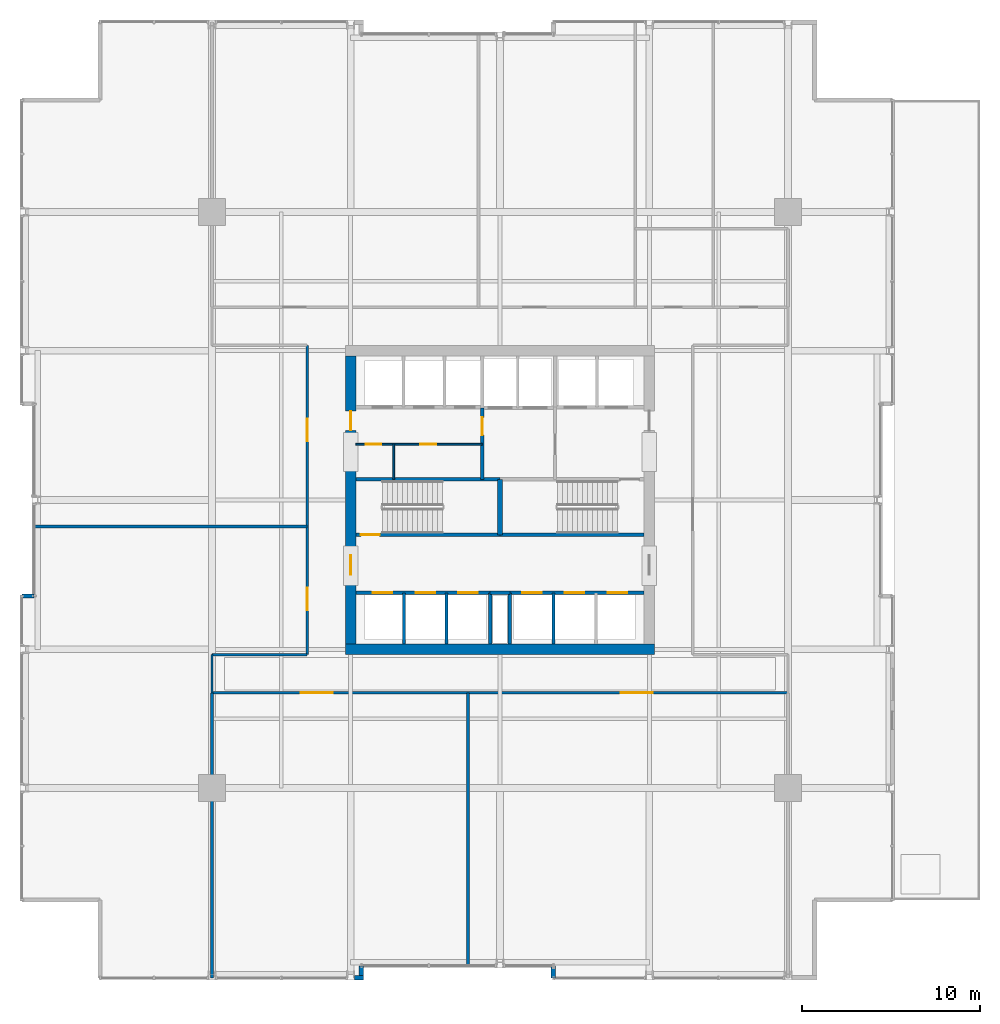
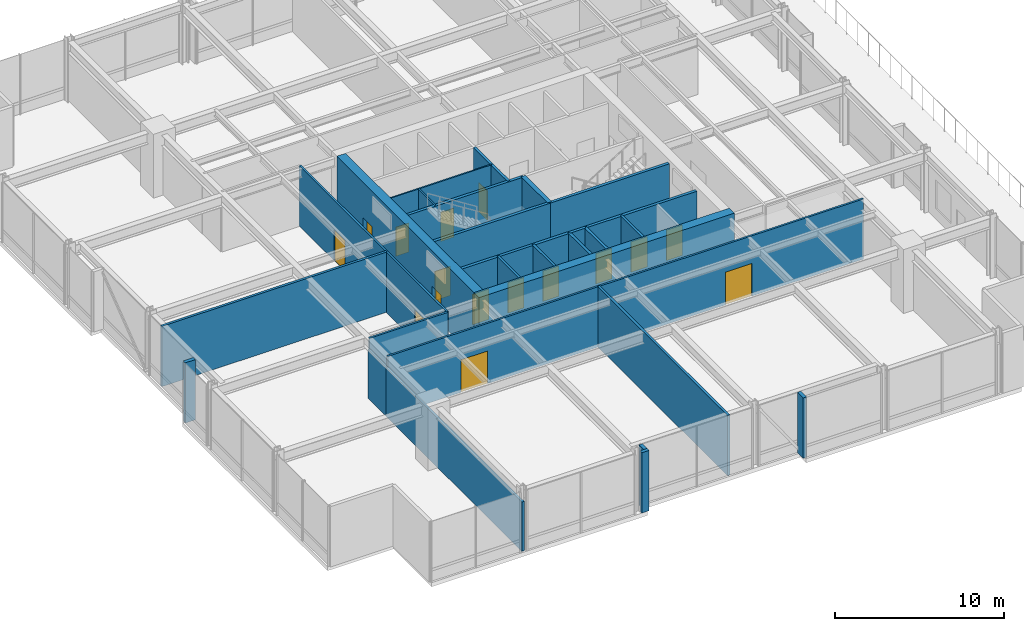
# One storey, part 28 of 33: 28 walls, 16 doors, 16 openings.
"""IFC4 building model written with IfcOpenShell, lengths in metres."""

from ifc_helpers import new_model, si_unit, direction, frame, frame_2d, origin, place, context, subcontext, project, spatial, rectangle, extrude, material, layer, layer_set, type_object, element, fill, save


model = new_model("IFC4")

# Units and contexts
model_context = context("Model", 3, precision=1e-05, world=origin(), true_north=direction((0.0, 1.0)))
body_context = subcontext(model_context, "Body", "Model", "MODEL_VIEW")
ifc_project = project(units=[si_unit("LENGTHUNIT", "METRE"), si_unit("AREAUNIT", "SQUARE_METRE"), si_unit("VOLUMEUNIT", "CUBIC_METRE"), si_unit("PLANEANGLEUNIT", "RADIAN"), si_unit("MASSUNIT", "GRAM", prefix="KILO")], contexts=[model_context])

# Site, building, storey
site_placement = place(None, origin())
site = spatial("IfcSite", under=ifc_project, at=site_placement, CompositionType="ELEMENT")
building_placement = place(site_placement, origin())
building = spatial("IfcBuilding", under=site, at=building_placement, Name="Drelvath Grand Hotel", CompositionType="ELEMENT")
storey_placement = place(building_placement, frame((0.0, 0.0, 87.199951171875)))
storey = spatial("IfcBuildingStorey", under=building, at=storey_placement, Name="L21", CompositionType="ELEMENT", Elevation=87.199951171875)

# Wall, openings, doors
ifc_material_1 = material(Name="Gypsum Partition Board")
ifc_layer_1 = layer(ifc_material_1, 0.10009765625)
ifc_layer_set_1 = layer_set([ifc_layer_1], Name="Gypsum Partition Board")
wall_type_1 = type_object("IfcWallType", Name="Core Closet Partition 100", PredefinedType="PARTITIONING", material=ifc_layer_set_1)
wall_1_placement = place(storey_placement, frame((-8.10009765625, 30.139892578125, 0.0), z_axis=(0.0, 0.0, 1.0), x_axis=(1.0, 0.0, 0.0)))
wall_1 = element("IfcWall", 1, at=wall_1_placement, inside=storey, type_object=wall_type_1, Name="L21 High-Rise Lobby Closet Wall", PredefinedType="PARTITIONING", context=body_context, shape_type="SweptSolid", body=[
    extrude(rectangle(XDim=7.10009765625, YDim=0.10009765625, at=frame_2d((3.550048828125, 0.0))), origin(), (0.0, 0.0, 1.0), 4.340087890625),
])
opening_1_placement = place(wall_1_placement, frame((0.550048828125, 0.0, 0.0)))
opening_1 = element("IfcOpeningElement", 2, at=opening_1_placement, cuts=wall_1, Name="Opening D-L21-014", PredefinedType="OPENING", context=body_context, shape_type="SweptSolid", body=[
    extrude(rectangle(XDim=0.8798828125, YDim=2.10009765625, at=frame_2d((0.43994140625, 1.050048828125))), frame((0.0, 0.06005859375, 0.0), z_axis=(0.0, -1.0, 0.0), x_axis=(1.0, 0.0, 0.0)), (0.0, 0.0, 1.0), 0.1201171875),
])
opening_2_placement = place(wall_1_placement, frame((3.60009765625, 0.0, 0.0)))
opening_2 = element("IfcOpeningElement", 3, at=opening_2_placement, cuts=wall_1, Name="Opening D-L21-015", PredefinedType="OPENING", context=body_context, shape_type="SweptSolid", body=[
    extrude(rectangle(XDim=0.919921875, YDim=2.10009765625, at=frame_2d((0.4599609375, 1.050048828125))), frame((0.0, 0.06005859375, 0.0), z_axis=(0.0, -1.0, 0.0), x_axis=(1.0, 0.0, 0.0)), (0.0, 0.0, 1.0), 0.1201171875),
])
ifc_material_2 = material(Name="Hardwood Walnut Timber", Category="wood")
door_type_1 = type_object("IfcDoorType", Name="En-Suite Bathroom Door 880x2100", OperationType="NOTDEFINED", PredefinedType="DOOR", material=ifc_material_2)
door_1_placement = place(opening_1_placement, origin())
door_1 = element("IfcDoor", 4, at=door_1_placement, inside=storey, type_object=door_type_1, Name="L21 Low-Voltage Closet Door", OperationType="SINGLE_SWING_LEFT", OverallHeight=2.10009765625, OverallWidth=0.8798828125, PredefinedType="DOOR", context=body_context, shape_type="SweptSolid", body=[
    extrude(rectangle(XDim=0.8798828125, YDim=2.10009765625, at=frame_2d((0.43994140625, 1.050048828125))), frame((0.0, 0.02490234375, 0.0), z_axis=(0.0, -1.0, 0.0), x_axis=(1.0, 0.0, 0.0)), (0.0, 0.0, 1.0), 0.050048828125),
])
fill(opening_1, door_1)
ifc_material_3 = material(Name="Painted Steel S275", Category="steel")
door_type_2 = type_object("IfcDoorType", Name="Staff Utility Door 920x2100", OperationType="NOTDEFINED", PredefinedType="DOOR", material=ifc_material_3)
door_2_placement = place(opening_2_placement, origin())
door_2 = element("IfcDoor", 5, at=door_2_placement, inside=storey, type_object=door_type_2, Name="L21 Telecom Distribution Door", OperationType="SINGLE_SWING_RIGHT", OverallHeight=2.10009765625, OverallWidth=0.919921875, PredefinedType="DOOR", context=body_context, shape_type="SweptSolid", body=[
    extrude(rectangle(XDim=0.919921875, YDim=2.10009765625, at=frame_2d((0.4599609375, 1.050048828125))), frame((0.0, 0.02490234375, 0.0), z_axis=(0.0, -1.0, 0.0), x_axis=(1.0, 0.0, 0.0)), (0.0, 0.0, 1.0), 0.050048828125),
])
fill(opening_2, door_2)

# Wall
wall_2_placement = place(storey_placement, frame((-5.97998046875, 28.159912109375, 0.0), z_axis=(0.0, 0.0, 1.0), x_axis=(0.0, 1.0, 0.0)))
element("IfcWall", 6, at=wall_2_placement, inside=storey, type_object=wall_type_1, Name="L21 Core Closet Split 2", PredefinedType="PARTITIONING", context=body_context, shape_type="SweptSolid", body=[
    extrude(rectangle(XDim=1.97998046875, YDim=0.10009765625, at=frame_2d((0.989990234375, 0.0))), origin(), (0.0, 0.0, 1.0), 4.340087890625),
])

# Wall, openings, doors
ifc_material_4 = material(Name="Concrete C40/50", Category="concrete")
ifc_layer_2 = layer(ifc_material_4, 0.199951171875)
ifc_layer_set_2 = layer_set([ifc_layer_2], Name="Concrete C40/50")
wall_type_2 = type_object("IfcWallType", Name="Core Hoistway Fire Wall 200", PredefinedType="SOLIDWALL", material=ifc_layer_set_2)
wall_3_placement = place(storey_placement, frame((-0.550048828125, 21.780029296875, 0.0), z_axis=(0.0, 0.0, 1.0), x_axis=(-1.0, 0.0, 0.0)))
wall_3 = element("IfcWall", 7, at=wall_3_placement, inside=storey, type_object=wall_type_2, Name="L21 Bank 1 Hoistway Wall", PredefinedType="SOLIDWALL", context=body_context, shape_type="SweptSolid", body=[
    extrude(rectangle(XDim=7.550048828125, YDim=0.199951171875, at=frame_2d((3.77490234375, 0.0))), origin(), (0.0, 0.0, 1.0), 4.340087890625),
])
opening_3_placement = place(wall_3_placement, frame((5.5, 0.0, 0.0)))
opening_3 = element("IfcOpeningElement", 8, at=opening_3_placement, cuts=wall_3, Name="Opening LD-PE-1", PredefinedType="OPENING", context=body_context, shape_type="SweptSolid", body=[
    extrude(rectangle(XDim=1.10009765625, YDim=2.199951171875, at=frame_2d((0.550048828125, 1.10009765625))), frame((0.0, 0.10986328125, 0.0), z_axis=(0.0, -1.0, 0.0), x_axis=(1.0, 0.0, 0.0)), (0.0, 0.0, 1.0), 0.219970703125),
])
opening_4_placement = place(wall_3_placement, frame((3.10009765625, 0.0, 0.0)))
opening_4 = element("IfcOpeningElement", 9, at=opening_4_placement, cuts=wall_3, Name="Opening LD-PE-2", PredefinedType="OPENING", context=body_context, shape_type="SweptSolid", body=[
    extrude(rectangle(XDim=1.10009765625, YDim=2.199951171875, at=frame_2d((0.550048828125, 1.10009765625))), frame((0.0, 0.10986328125, 0.0), z_axis=(0.0, -1.0, 0.0), x_axis=(1.0, 0.0, 0.0)), (0.0, 0.0, 1.0), 0.219970703125),
])
opening_5_placement = place(wall_3_placement, frame((0.699951171875, 0.0, 0.0)))
opening_5 = element("IfcOpeningElement", 10, at=opening_5_placement, cuts=wall_3, Name="Opening LD-PE-3", PredefinedType="OPENING", context=body_context, shape_type="SweptSolid", body=[
    extrude(rectangle(XDim=1.10009765625, YDim=2.199951171875, at=frame_2d((0.550048828125, 1.10009765625))), frame((0.0, 0.10986328125, 0.0), z_axis=(0.0, -1.0, 0.0), x_axis=(1.0, 0.0, 0.0)), (0.0, 0.0, 1.0), 0.219970703125),
])
ifc_material_5 = material(Name="Stainless Steel S355", Category="steel")
door_type_3 = type_object("IfcDoorType", Name="Passenger Lift Sliding Landing Door 1100x2200", OperationType="NOTDEFINED", PredefinedType="DOOR", material=ifc_material_5)
door_3_placement = place(opening_3_placement, origin())
door_3 = element("IfcDoor", 11, at=door_3_placement, inside=storey, type_object=door_type_3, Name="L21 Lift PE-1 Landing Door", OperationType="SLIDING_TO_LEFT", OverallHeight=2.199951171875, OverallWidth=1.10009765625, PredefinedType="DOOR", context=body_context, shape_type="SweptSolid", body=[
    extrude(rectangle(XDim=1.10009765625, YDim=2.199951171875, at=frame_2d((0.550048828125, 1.10009765625))), frame((0.0, 0.02490234375, 0.0), z_axis=(0.0, -1.0, 0.0), x_axis=(1.0, 0.0, 0.0)), (0.0, 0.0, 1.0), 0.050048828125),
])
fill(opening_3, door_3)
door_4_placement = place(opening_4_placement, origin())
door_4 = element("IfcDoor", 12, at=door_4_placement, inside=storey, type_object=door_type_3, Name="L21 Lift PE-2 Landing Door", OperationType="SLIDING_TO_LEFT", OverallHeight=2.199951171875, OverallWidth=1.10009765625, PredefinedType="DOOR", context=body_context, shape_type="SweptSolid", body=[
    extrude(rectangle(XDim=1.10009765625, YDim=2.199951171875, at=frame_2d((0.550048828125, 1.10009765625))), frame((0.0, 0.02490234375, 0.0), z_axis=(0.0, -1.0, 0.0), x_axis=(1.0, 0.0, 0.0)), (0.0, 0.0, 1.0), 0.050048828125),
])
fill(opening_4, door_4)
door_5_placement = place(opening_5_placement, origin())
door_5 = element("IfcDoor", 13, at=door_5_placement, inside=storey, type_object=door_type_3, Name="L21 Lift PE-3 Landing Door", OperationType="SLIDING_TO_LEFT", OverallHeight=2.199951171875, OverallWidth=1.10009765625, PredefinedType="DOOR", context=body_context, shape_type="SweptSolid", body=[
    extrude(rectangle(XDim=1.10009765625, YDim=2.199951171875, at=frame_2d((0.550048828125, 1.10009765625))), frame((0.0, 0.02490234375, 0.0), z_axis=(0.0, -1.0, 0.0), x_axis=(1.0, 0.0, 0.0)), (0.0, 0.0, 1.0), 0.050048828125),
])
fill(opening_5, door_5)

# Wall
wall_4_placement = place(storey_placement, frame((-0.550048828125, 18.89990234375, 0.0), z_axis=(0.0, 0.0, 1.0), x_axis=(0.0, 1.0, 0.0)))
element("IfcWall", 14, at=wall_4_placement, inside=storey, type_object=wall_type_2, Name="L21 Bank 1 East Wall", PredefinedType="SOLIDWALL", context=body_context, shape_type="SweptSolid", body=[
    extrude(rectangle(XDim=2.880126953125, YDim=0.199951171875, at=frame_2d((1.43994140625, 0.0))), origin(), (0.0, 0.0, 1.0), 4.340087890625),
])

# Wall, openings, doors
wall_5_placement = place(storey_placement, frame((8.10009765625, 21.780029296875, 0.0), z_axis=(0.0, 0.0, 1.0), x_axis=(-1.0, 0.0, 0.0)))
wall_5 = element("IfcWall", 15, at=wall_5_placement, inside=storey, type_object=wall_type_2, Name="L21 Bank 2 Hoistway Wall", PredefinedType="SOLIDWALL", context=body_context, shape_type="SweptSolid", body=[
    extrude(rectangle(XDim=7.550048828125, YDim=0.199951171875, at=frame_2d((3.77490234375, 0.0))), origin(), (0.0, 0.0, 1.0), 4.340087890625),
])
opening_6_placement = place(wall_5_placement, frame((5.75, 0.0, 0.0)))
opening_6 = element("IfcOpeningElement", 16, at=opening_6_placement, cuts=wall_5, Name="Opening LD-PE-4", PredefinedType="OPENING", context=body_context, shape_type="SweptSolid", body=[
    extrude(rectangle(XDim=1.10009765625, YDim=2.199951171875, at=frame_2d((0.550048828125, 1.10009765625))), frame((0.0, 0.10986328125, 0.0), z_axis=(0.0, -1.0, 0.0), x_axis=(1.0, 0.0, 0.0)), (0.0, 0.0, 1.0), 0.219970703125),
])
opening_7_placement = place(wall_5_placement, frame((3.35009765625, 0.0, 0.0)))
opening_7 = element("IfcOpeningElement", 17, at=opening_7_placement, cuts=wall_5, Name="Opening LD-PE-5", PredefinedType="OPENING", context=body_context, shape_type="SweptSolid", body=[
    extrude(rectangle(XDim=1.10009765625, YDim=2.199951171875, at=frame_2d((0.550048828125, 1.10009765625))), frame((0.0, 0.10986328125, 0.0), z_axis=(0.0, -1.0, 0.0), x_axis=(1.0, 0.0, 0.0)), (0.0, 0.0, 1.0), 0.219970703125),
])
opening_8_placement = place(wall_5_placement, frame((0.949951171875, 0.0, 0.0)))
opening_8 = element("IfcOpeningElement", 18, at=opening_8_placement, cuts=wall_5, Name="Opening LD-PE-6", PredefinedType="OPENING", context=body_context, shape_type="SweptSolid", body=[
    extrude(rectangle(XDim=1.10009765625, YDim=2.199951171875, at=frame_2d((0.550048828125, 1.10009765625))), frame((0.0, 0.10986328125, 0.0), z_axis=(0.0, -1.0, 0.0), x_axis=(1.0, 0.0, 0.0)), (0.0, 0.0, 1.0), 0.219970703125),
])
door_6_placement = place(opening_6_placement, origin())
door_6 = element("IfcDoor", 19, at=door_6_placement, inside=storey, type_object=door_type_3, Name="L21 Lift PE-4 Landing Door", OperationType="SLIDING_TO_LEFT", OverallHeight=2.199951171875, OverallWidth=1.10009765625, PredefinedType="DOOR", context=body_context, shape_type="SweptSolid", body=[
    extrude(rectangle(XDim=1.10009765625, YDim=2.199951171875, at=frame_2d((0.550048828125, 1.10009765625))), frame((0.0, 0.02490234375, 0.0), z_axis=(0.0, -1.0, 0.0), x_axis=(1.0, 0.0, 0.0)), (0.0, 0.0, 1.0), 0.050048828125),
])
fill(opening_6, door_6)
door_7_placement = place(opening_7_placement, origin())
door_7 = element("IfcDoor", 20, at=door_7_placement, inside=storey, type_object=door_type_3, Name="L21 Lift PE-5 Landing Door", OperationType="SLIDING_TO_LEFT", OverallHeight=2.199951171875, OverallWidth=1.10009765625, PredefinedType="DOOR", context=body_context, shape_type="SweptSolid", body=[
    extrude(rectangle(XDim=1.10009765625, YDim=2.199951171875, at=frame_2d((0.550048828125, 1.10009765625))), frame((0.0, 0.02490234375, 0.0), z_axis=(0.0, -1.0, 0.0), x_axis=(1.0, 0.0, 0.0)), (0.0, 0.0, 1.0), 0.050048828125),
])
fill(opening_7, door_7)
door_8_placement = place(opening_8_placement, origin())
door_8 = element("IfcDoor", 21, at=door_8_placement, inside=storey, type_object=door_type_3, Name="L21 Lift PE-6 Landing Door", OperationType="SLIDING_TO_LEFT", OverallHeight=2.199951171875, OverallWidth=1.10009765625, PredefinedType="DOOR", context=body_context, shape_type="SweptSolid", body=[
    extrude(rectangle(XDim=1.10009765625, YDim=2.199951171875, at=frame_2d((0.550048828125, 1.10009765625))), frame((0.0, 0.02490234375, 0.0), z_axis=(0.0, -1.0, 0.0), x_axis=(1.0, 0.0, 0.0)), (0.0, 0.0, 1.0), 0.050048828125),
])
fill(opening_8, door_8)

# Walls
wall_6_placement = place(storey_placement, frame((0.550048828125, 18.89990234375, 0.0), z_axis=(0.0, 0.0, 1.0), x_axis=(0.0, 1.0, 0.0)))
element("IfcWall", 22, at=wall_6_placement, inside=storey, type_object=wall_type_2, Name="L21 Bank 2 West Wall", PredefinedType="SOLIDWALL", context=body_context, shape_type="SweptSolid", body=[
    extrude(rectangle(XDim=2.880126953125, YDim=0.199951171875, at=frame_2d((1.43994140625, 0.0))), origin(), (0.0, 0.0, 1.0), 4.340087890625),
])
wall_7_placement = place(storey_placement, frame((-0.550048828125, 21.780029296875, 0.0), z_axis=(0.0, 0.0, 1.0), x_axis=(1.0, 0.0, 0.0)))
element("IfcWall", 23, at=wall_7_placement, inside=storey, type_object=wall_type_2, Name="L21 Core Riser Wall", PredefinedType="SOLIDWALL", context=body_context, shape_type="SweptSolid", body=[
    extrude(rectangle(XDim=1.10009765625, YDim=0.199951171875, at=frame_2d((0.550048828125, 0.0))), origin(), (0.0, 0.0, 1.0), 4.340087890625),
])

# Wall, opening, door
ifc_layer_3 = layer(ifc_material_4, 0.199951171875)
ifc_layer_set_3 = layer_set([ifc_layer_3], Name="Concrete C40/50")
wall_type_3 = type_object("IfcWallType", Name="Core Shaft Fire Wall 200", PredefinedType="SOLIDWALL", material=ifc_layer_set_3)
wall_8_placement = place(storey_placement, frame((-8.10009765625, 25.0400390625, 0.0), z_axis=(0.0, 0.0, 1.0), x_axis=(1.0, 0.0, 0.0)))
wall_8 = element("IfcWall", 24, at=wall_8_placement, inside=storey, type_object=wall_type_3, Name="L21 Stair ST-1 South Wall", PredefinedType="SOLIDWALL", context=body_context, shape_type="SweptSolid", body=[
    extrude(rectangle(XDim=8.10009765625, YDim=0.199951171875, at=frame_2d((4.050048828125, 0.0))), origin(), (0.0, 0.0, 1.0), 4.340087890625),
])
opening_9_placement = place(wall_8_placement, frame((0.280029296875, 0.0, 0.0)))
opening_9 = element("IfcOpeningElement", 25, at=opening_9_placement, cuts=wall_8, Name="Opening D-L21-001", PredefinedType="OPENING", context=body_context, shape_type="SweptSolid", body=[
    extrude(rectangle(XDim=1.050048828125, YDim=2.10009765625, at=frame_2d((0.52490234375, 1.050048828125))), frame((0.0, 0.10986328125, 0.0), z_axis=(0.0, -1.0, 0.0), x_axis=(1.0, 0.0, 0.0)), (0.0, 0.0, 1.0), 0.219970703125),
])
door_type_4 = type_object("IfcDoorType", Name="Tower Stairwell Fire Door 1050x2100", OperationType="NOTDEFINED", PredefinedType="DOOR", material=ifc_material_3)
door_9_placement = place(opening_9_placement, origin())
door_9 = element("IfcDoor", 26, at=door_9_placement, inside=storey, type_object=door_type_4, Name="L21 Exit Stair ST-1 Door", OperationType="SINGLE_SWING_LEFT", OverallHeight=2.10009765625, OverallWidth=1.050048828125, PredefinedType="DOOR", context=body_context, shape_type="SweptSolid", body=[
    extrude(rectangle(XDim=1.050048828125, YDim=2.10009765625, at=frame_2d((0.52490234375, 1.050048828125))), frame((0.0, 0.02490234375, 0.0), z_axis=(0.0, -1.0, 0.0), x_axis=(1.0, 0.0, 0.0)), (0.0, 0.0, 1.0), 0.050048828125),
])
fill(opening_9, door_9)

# Walls
for number, where, z_axis, x_axis, name in (
    (27, (-8.10009765625, 28.159912109375, 0.0), (0.0, 0.0, 1.0), (1.0, 0.0, 0.0), "L21 Stair ST-1 North Wall"),
    (28, (0.0, 25.0400390625, 0.0), (0.0, 0.0, 1.0), (1.0, 0.0, 0.0), "L21 Stair ST-2 South Wall"),
):
    element("IfcWall", number, at=place(storey_placement, frame(where, z_axis=z_axis, x_axis=x_axis)), inside=storey, type_object=wall_type_3, Name=name, PredefinedType="SOLIDWALL", context=body_context, shape_type="SweptSolid", body=[
        extrude(rectangle(XDim=8.10009765625, YDim=0.199951171875, at=frame_2d((4.050048828125, 0.0))), origin(), (0.0, 0.0, 1.0), 4.340087890625),
    ])
ifc_layer_4 = layer(ifc_material_4, 0.300048828125)
ifc_layer_set_4 = layer_set([ifc_layer_4], Name="Concrete C40/50")
wall_type_4 = type_object("IfcWallType", Name="Core Shaft Fire Wall 300", PredefinedType="SOLIDWALL", material=ifc_layer_set_4)
wall_9_placement = place(storey_placement, frame((0.0, 25.0400390625, 0.0), z_axis=(0.0, 0.0, 1.0), x_axis=(0.0, 1.0, 0.0)))
element("IfcWall", 29, at=wall_9_placement, inside=storey, type_object=wall_type_4, Name="L21 Core Stair Divider Wall", PredefinedType="SOLIDWALL", context=body_context, shape_type="SweptSolid", body=[
    extrude(rectangle(XDim=3.119873046875, YDim=0.300048828125, at=frame_2d((1.56005859375, 0.0))), origin(), (0.0, 0.0, 1.0), 4.340087890625),
])
ifc_material_6 = material(Name="Gypsum Fireboard Partition")
ifc_layer_5 = layer(ifc_material_6, 0.1650390625)
ifc_layer_set_5 = layer_set([ifc_layer_5], Name="Gypsum Fireboard Partition")
wall_type_5 = type_object("IfcWallType", Name="Core Shaft Partition 165", PredefinedType="PARTITIONING", material=ifc_layer_set_5)
for number, where, z_axis, x_axis, name in (
    (30, (-5.39990234375, 18.89990234375, 0.0), (0.0, 0.0, 1.0), (0.0, 1.0, 0.0), "L21 Lift PE-1/2 Divider"),
    (31, (-3.0, 18.89990234375, 0.0), (0.0, 0.0, 1.0), (0.0, 1.0, 0.0), "L21 Lift PE-2/3 Divider"),
    (32, (3.0, 18.89990234375, 0.0), (0.0, 0.0, 1.0), (0.0, 1.0, 0.0), "L21 Lift PE-4/5 Divider"),
):
    element("IfcWall", number, at=place(storey_placement, frame(where, z_axis=z_axis, x_axis=x_axis)), inside=storey, type_object=wall_type_5, Name=name, PredefinedType="PARTITIONING", context=body_context, shape_type="SweptSolid", body=[
        extrude(rectangle(XDim=2.880126953125, YDim=0.1650390625, at=frame_2d((1.43994140625, 0.0))), origin(), (0.0, 0.0, 1.0), 4.340087890625),
    ])

# Wall, openings, doors
ifc_layer_6 = layer(ifc_material_6, 0.135009765625)
ifc_layer_set_6 = layer_set([ifc_layer_6], Name="Gypsum Fireboard Partition")
wall_type_6 = type_object("IfcWallType", Name="Corridor Fire Barrier Wall 135", PredefinedType="PARTITIONING", material=ifc_layer_set_6)
wall_10_placement = place(storey_placement, frame((-16.199951171875, 16.14990234375, 0.0), z_axis=(0.0, 0.0, 1.0), x_axis=(1.0, 0.0, 0.0)))
wall_10 = element("IfcWall", 33, at=wall_10_placement, inside=storey, type_object=wall_type_6, Name="L21 Sky South Foyer Wall", PredefinedType="PARTITIONING", context=body_context, shape_type="SweptSolid", body=[
    extrude(rectangle(XDim=32.39990234375, YDim=0.135009765625, at=frame_2d((16.199951171875, 0.0))), origin(), (0.0, 0.0, 1.0), 4.340087890625),
])
opening_10_placement = place(wall_10_placement, frame((5.0, 0.0, 0.0)))
opening_10 = element("IfcOpeningElement", 34, at=opening_10_placement, cuts=wall_10, Name="Opening D-L21-024", PredefinedType="OPENING", context=body_context, shape_type="SweptSolid", body=[
    extrude(rectangle(XDim=1.800048828125, YDim=2.35009765625, at=frame_2d((0.89990234375, 1.175048828125))), frame((0.0, 0.077392578125, 0.0), z_axis=(0.0, -1.0, 0.0), x_axis=(1.0, 0.0, 0.0)), (0.0, 0.0, 1.0), 0.155029296875),
])
opening_11_placement = place(wall_10_placement, frame((23.0, 0.0, 0.0)))
opening_11 = element("IfcOpeningElement", 35, at=opening_11_placement, cuts=wall_10, Name="Opening D-L21-025", PredefinedType="OPENING", context=body_context, shape_type="SweptSolid", body=[
    extrude(rectangle(XDim=1.800048828125, YDim=2.35009765625, at=frame_2d((0.89990234375, 1.175048828125))), frame((0.0, 0.077392578125, 0.0), z_axis=(0.0, -1.0, 0.0), x_axis=(1.0, 0.0, 0.0)), (0.0, 0.0, 1.0), 0.155029296875),
])
ifc_material_7 = material(Name="Hardwood Bronze-Clad Timber", Category="wood")
door_type_5 = type_object("IfcDoorType", Name="Assembly Double Fire Door 1800x2350", OperationType="NOTDEFINED", PredefinedType="DOOR", material=ifc_material_7)
door_10_placement = place(opening_10_placement, origin())
door_10 = element("IfcDoor", 36, at=door_10_placement, inside=storey, type_object=door_type_5, Name="L21 Sky Lobby Transfer Reception Door", OperationType="DOUBLE_DOOR_SINGLE_SWING", OverallHeight=2.35009765625, OverallWidth=1.800048828125, PredefinedType="DOOR", context=body_context, shape_type="SweptSolid", body=[
    extrude(rectangle(XDim=1.800048828125, YDim=2.35009765625, at=frame_2d((0.89990234375, 1.175048828125))), frame((0.0, 0.02490234375, 0.0), z_axis=(0.0, -1.0, 0.0), x_axis=(1.0, 0.0, 0.0)), (0.0, 0.0, 1.0), 0.050048828125),
])
fill(opening_10, door_10)
door_11_placement = place(opening_11_placement, origin())
door_11 = element("IfcDoor", 37, at=door_11_placement, inside=storey, type_object=door_type_5, Name="L21 Panorama Espresso Bar Door", OperationType="DOUBLE_DOOR_SINGLE_SWING", OverallHeight=2.35009765625, OverallWidth=1.800048828125, PredefinedType="DOOR", context=body_context, shape_type="SweptSolid", body=[
    extrude(rectangle(XDim=1.800048828125, YDim=2.35009765625, at=frame_2d((0.89990234375, 1.175048828125))), frame((0.0, 0.02490234375, 0.0), z_axis=(0.0, -1.0, 0.0), x_axis=(1.0, 0.0, 0.0)), (0.0, 0.0, 1.0), 0.050048828125),
])
fill(opening_11, door_11)

# Wall
wall_11_placement = place(storey_placement, frame((-16.199951171875, 18.300048828125, 0.0), z_axis=(0.0, 0.0, 1.0), x_axis=(1.0, 0.0, 0.0)))
element("IfcWall", 38, at=wall_11_placement, inside=storey, type_object=wall_type_6, Name="L21 Sky SW Spur Inner Wall", PredefinedType="PARTITIONING", context=body_context, shape_type="SweptSolid", body=[
    extrude(rectangle(XDim=5.349853515625, YDim=0.135009765625, at=frame_2d((2.6748046875, 0.0))), origin(), (0.0, 0.0, 1.0), 4.340087890625),
])

# Wall, openings, doors
wall_12_placement = place(storey_placement, frame((-10.85009765625, 18.300048828125, 0.0), z_axis=(0.0, 0.0, 1.0), x_axis=(0.0, 1.0, 0.0)))
wall_12 = element("IfcWall", 39, at=wall_12_placement, inside=storey, type_object=wall_type_6, Name="L21 Sky West Foyer Wall", PredefinedType="PARTITIONING", context=body_context, shape_type="SweptSolid", body=[
    extrude(rectangle(XDim=17.39990234375, YDim=0.135009765625, at=frame_2d((8.699951171875, 0.0))), origin(), (0.0, 0.0, 1.0), 4.340087890625),
])
opening_12_placement = place(wall_12_placement, frame((2.5, 0.0, 0.0)))
opening_12 = element("IfcOpeningElement", 40, at=opening_12_placement, cuts=wall_12, Name="Opening D-L21-030", PredefinedType="OPENING", context=body_context, shape_type="SweptSolid", body=[
    extrude(rectangle(XDim=1.260009765625, YDim=2.199951171875, at=frame_2d((0.6298828125, 1.10009765625))), frame((0.0, 0.077392578125, 0.0), z_axis=(0.0, -1.0, 0.0), x_axis=(1.0, 0.0, 0.0)), (0.0, 0.0, 1.0), 0.155029296875),
])
opening_13_placement = place(wall_12_placement, frame((12.0, 0.0, 0.0)))
opening_13 = element("IfcOpeningElement", 41, at=opening_13_placement, cuts=wall_12, Name="Opening D-L21-031", PredefinedType="OPENING", context=body_context, shape_type="SweptSolid", body=[
    extrude(rectangle(XDim=1.260009765625, YDim=2.199951171875, at=frame_2d((0.6298828125, 1.10009765625))), frame((0.0, 0.077392578125, 0.0), z_axis=(0.0, -1.0, 0.0), x_axis=(1.0, 0.0, 0.0)), (0.0, 0.0, 1.0), 0.155029296875),
])
door_type_6 = type_object("IfcDoorType", Name="Suite Entrance Fire Door 1260x2200", OperationType="NOTDEFINED", PredefinedType="DOOR", material=ifc_material_2)
door_12_placement = place(opening_12_placement, origin())
door_12 = element("IfcDoor", 42, at=door_12_placement, inside=storey, type_object=door_type_6, Name="L21 VIP Luggage Salon Door", OperationType="SINGLE_SWING_LEFT", OverallHeight=2.199951171875, OverallWidth=1.260009765625, PredefinedType="DOOR", context=body_context, shape_type="SweptSolid", body=[
    extrude(rectangle(XDim=1.260009765625, YDim=2.199951171875, at=frame_2d((0.6298828125, 1.10009765625))), frame((0.0, 0.02490234375, 0.0), z_axis=(0.0, -1.0, 0.0), x_axis=(1.0, 0.0, 0.0)), (0.0, 0.0, 1.0), 0.050048828125),
])
fill(opening_12, door_12)
door_13_placement = place(opening_13_placement, origin())
door_13 = element("IfcDoor", 43, at=door_13_placement, inside=storey, type_object=door_type_6, Name="L21 Mid-Rise Sky Lobby Door", OperationType="SINGLE_SWING_RIGHT", OverallHeight=2.199951171875, OverallWidth=1.260009765625, PredefinedType="DOOR", context=body_context, shape_type="SweptSolid", body=[
    extrude(rectangle(XDim=1.260009765625, YDim=2.199951171875, at=frame_2d((0.6298828125, 1.10009765625))), frame((0.0, 0.02490234375, 0.0), z_axis=(0.0, -1.0, 0.0), x_axis=(1.0, 0.0, 0.0)), (0.0, 0.0, 1.0), 0.050048828125),
])
fill(opening_13, door_13)

# Wall
wall_13_placement = place(storey_placement, frame((-16.199951171875, 16.14990234375, 0.0), z_axis=(0.0, 0.0, 1.0), x_axis=(0.0, 1.0, 0.0)))
element("IfcWall", 44, at=wall_13_placement, inside=storey, type_object=wall_type_6, Name="L21 Sky South Foyer West End", PredefinedType="PARTITIONING", context=body_context, shape_type="SweptSolid", body=[
    extrude(rectangle(XDim=2.150146484375, YDim=0.135009765625, at=frame_2d((1.0751953125, 0.0))), origin(), (0.0, 0.0, 1.0), 3.5517578125),
])

# Wall, opening, door
ifc_layer_7 = layer(ifc_material_6, 0.179931640625)
ifc_layer_set_7 = layer_set([ifc_layer_7], Name="Gypsum Fireboard Partition")
wall_type_7 = type_object("IfcWallType", Name="FSAE Smoke Lobby Fire Wall 180", PredefinedType="SOLIDWALL", material=ifc_layer_set_7)
wall_14_placement = place(storey_placement, frame((-1.0, 28.159912109375, 0.0), z_axis=(0.0, 0.0, 1.0), x_axis=(0.0, 1.0, 0.0)))
wall_14 = element("IfcWall", 45, at=wall_14_placement, inside=storey, type_object=wall_type_7, Name="L21 Service Vestibule West Wall", PredefinedType="SOLIDWALL", context=body_context, shape_type="SweptSolid", body=[
    extrude(rectangle(XDim=4.02001953125, YDim=0.179931640625, at=frame_2d((2.010009765625, 0.0))), origin(), (0.0, 0.0, 1.0), 4.340087890625),
])
opening_14_placement = place(wall_14_placement, frame((2.489990234375, 0.0, 0.0)))
opening_14 = element("IfcOpeningElement", 46, at=opening_14_placement, cuts=wall_14, Name="Opening D-L21-009", PredefinedType="OPENING", context=body_context, shape_type="SweptSolid", body=[
    extrude(rectangle(XDim=1.0, YDim=2.10009765625, at=frame_2d((0.5, 1.050048828125))), frame((0.0, 0.099853515625, 0.0), z_axis=(0.0, -1.0, 0.0), x_axis=(1.0, 0.0, 0.0)), (0.0, 0.0, 1.0), 0.199951171875),
])
door_type_7 = type_object("IfcDoorType", Name="Core Service Fire Door 1000x2100", OperationType="NOTDEFINED", PredefinedType="DOOR", material=ifc_material_3)
door_14_placement = place(opening_14_placement, origin())
door_14 = element("IfcDoor", 47, at=door_14_placement, inside=storey, type_object=door_type_7, Name="L21 Service Vestibule West Door", OperationType="SINGLE_SWING_LEFT", OverallHeight=2.10009765625, OverallWidth=1.0, PredefinedType="DOOR", context=body_context, shape_type="SweptSolid", body=[
    extrude(rectangle(XDim=1.0, YDim=2.10009765625, at=frame_2d((0.5, 1.050048828125))), frame((0.0, 0.02490234375, 0.0), z_axis=(0.0, -1.0, 0.0), x_axis=(1.0, 0.0, 0.0)), (0.0, 0.0, 1.0), 0.050048828125),
])
fill(opening_14, door_14)

# Wall
ifc_material_8 = material(Name="Concrete f'c 70 MPa", Category="concrete")
ifc_layer_8 = layer(ifc_material_8, 0.60009765625)
ifc_layer_set_8 = layer_set([ifc_layer_8], Name="Concrete f'c 70 MPa")
wall_type_8 = type_object("IfcWallType", Name="Lower Core RC Shear Wall 600", PredefinedType="SHEAR", material=ifc_layer_set_8)
wall_15_placement = place(storey_placement, frame((8.699951171875, 18.60009765625, 0.0), z_axis=(0.0, 0.0, 1.0), x_axis=(-1.0, 0.0, 0.0)))
element("IfcWall", 48, at=wall_15_placement, inside=storey, type_object=wall_type_8, Name="L21 Central Core Shear Wall S", PredefinedType="SHEAR", context=body_context, shape_type="SweptSolid", body=[
    extrude(rectangle(XDim=17.39990234375, YDim=0.60009765625, at=frame_2d((8.699951171875, 0.0))), origin(), (0.0, 0.0, 1.0), 4.60009765625),
])

# Wall, openings, doors
wall_16_placement = place(storey_placement, frame((-8.39990234375, 18.89990234375, 0.0), z_axis=(0.0, 0.0, 1.0), x_axis=(0.0, 1.0, 0.0)))
wall_16 = element("IfcWall", 49, at=wall_16_placement, inside=storey, type_object=wall_type_8, Name="L21 Central Core Shear Wall W", PredefinedType="SHEAR", context=body_context, shape_type="SweptSolid", body=[
    extrude(rectangle(XDim=16.2001953125, YDim=0.60009765625, at=frame_2d((8.10009765625, 0.0))), origin(), (0.0, 0.0, 1.0), 4.60009765625),
])
opening_15_placement = place(wall_16_placement, frame((12.02001953125, 0.0, 0.0)))
opening_15 = element("IfcOpeningElement", 50, at=opening_15_placement, cuts=wall_16, Name="Opening D-L21-013", PredefinedType="OPENING", context=body_context, shape_type="SweptSolid", body=[
    extrude(rectangle(XDim=1.080078125, YDim=2.0400390625, at=frame_2d((0.5400390625, 1.02001953125))), frame((0.0, 0.31005859375, 0.0), z_axis=(0.0, -1.0, 0.0), x_axis=(1.0, 0.0, 0.0)), (0.0, 0.0, 1.0), 0.6201171875),
])
opening_16_placement = place(wall_16_placement, frame((3.89990234375, 0.0, 0.0)))
opening_16 = element("IfcOpeningElement", 51, at=opening_16_placement, cuts=wall_16, Name="Opening D-L21-022", PredefinedType="OPENING", context=body_context, shape_type="SweptSolid", body=[
    extrude(rectangle(XDim=1.080078125, YDim=2.0400390625, at=frame_2d((0.5400390625, 1.02001953125))), frame((0.0, 0.31005859375, 0.0), z_axis=(0.0, -1.0, 0.0), x_axis=(1.0, 0.0, 0.0)), (0.0, 0.0, 1.0), 0.6201171875),
])
door_type_8 = type_object("IfcDoorType", Name="Core Corridor Fire Door 1080x2100", OperationType="NOTDEFINED", PredefinedType="DOOR", material=ifc_material_3)
door_15_placement = place(opening_15_placement, origin())
door_15 = element("IfcDoor", 52, at=door_15_placement, inside=storey, type_object=door_type_8, Name="L21 High-Rise Lift Lobby West Door", OperationType="SINGLE_SWING_RIGHT", OverallHeight=2.0400390625, OverallWidth=1.080078125, PredefinedType="DOOR", context=body_context, shape_type="SweptSolid", body=[
    extrude(rectangle(XDim=1.080078125, YDim=2.0400390625, at=frame_2d((0.5400390625, 1.02001953125))), frame((0.0, 0.02490234375, 0.0), z_axis=(0.0, -1.0, 0.0), x_axis=(1.0, 0.0, 0.0)), (0.0, 0.0, 1.0), 0.050048828125),
])
fill(opening_15, door_15)
door_16_placement = place(opening_16_placement, origin())
door_16 = element("IfcDoor", 53, at=door_16_placement, inside=storey, type_object=door_type_8, Name="L21 South Lift Lobby West Door", OperationType="SINGLE_SWING_LEFT", OverallHeight=2.0400390625, OverallWidth=1.080078125, PredefinedType="DOOR", context=body_context, shape_type="SweptSolid", body=[
    extrude(rectangle(XDim=1.080078125, YDim=2.0400390625, at=frame_2d((0.5400390625, 1.02001953125))), frame((0.0, 0.02490234375, 0.0), z_axis=(0.0, -1.0, 0.0), x_axis=(1.0, 0.0, 0.0)), (0.0, 0.0, 1.0), 0.050048828125),
])
fill(opening_16, door_16)

# Walls
ifc_material_9 = material(Name="Gypsum Acoustic Partition")
ifc_layer_9 = layer(ifc_material_9, 0.1650390625)
ifc_layer_set_9 = layer_set([ifc_layer_9], Name="Gypsum Acoustic Partition")
wall_type_9 = type_object("IfcWallType", Name="Suite Demising Wall 165", PredefinedType="PARTITIONING", material=ifc_layer_set_9)
wall_17_placement = place(storey_placement, frame((-16.199951171875, 0.1201171875, 0.0), z_axis=(0.0, 0.0, 1.0), x_axis=(0.0, 1.0, 0.0)))
element("IfcWall", 54, at=wall_17_placement, inside=storey, type_object=wall_type_9, Name="L21 Sky SW Wall", PredefinedType="PARTITIONING", context=body_context, shape_type="SweptSolid", body=[
    extrude(rectangle(XDim=16.02978515625, YDim=0.1650390625, at=frame_2d((8.014892578125, 0.0))), origin(), (0.0, 0.0, 1.0), 3.5517578125),
])
for number, where, z_axis, x_axis, name in (
    (55, (-1.800048828125, 0.800048828125, 0.0), (0.0, 0.0, 1.0), (0.0, 1.0, 0.0), "L21 Sky South Split"),
    (56, (-26.199951171875, 25.5, 0.0), (0.0, 0.0, 1.0), (1.0, 0.0, 0.0), "L21 Sky West Split"),
):
    element("IfcWall", number, at=place(storey_placement, frame(where, z_axis=z_axis, x_axis=x_axis)), inside=storey, type_object=wall_type_9, Name=name, PredefinedType="PARTITIONING", context=body_context, shape_type="SweptSolid", body=[
        extrude(rectangle(XDim=15.349853515625, YDim=0.1650390625, at=frame_2d((7.6748046875, 0.0))), origin(), (0.0, 0.0, 1.0), 4.340087890625),
    ])
ifc_material_10 = material(Name="Pale-Metal Insulated Aluminium Spandrel Assembly", Category="aluminium")
ifc_layer_10 = layer(ifc_material_10, 0.239990234375)
ifc_layer_set_10 = layer_set([ifc_layer_10], Name="Pale-Metal Insulated Aluminium Spandrel Assembly")
wall_type_10 = type_object("IfcWallType", Name="Tower Insulated Metal Spandrel Closure Wall 240", PredefinedType="STANDARD", material=ifc_layer_set_10)
wall_18_placement = place(storey_placement, frame((-7.679931640625, 0.1201171875, 0.0), z_axis=(0.0, 0.0, 1.0), x_axis=(-1.0, 0.0, 0.0)))
element("IfcWall", 57, at=wall_18_placement, inside=storey, type_object=wall_type_10, Name="L21 Corner Pier Spandrel Wall SW3", PredefinedType="STANDARD", context=body_context, shape_type="SweptSolid", body=[
    extrude(rectangle(XDim=0.50048828125, YDim=0.239990234375, at=frame_2d((0.250244140625, 0.0))), origin(), (0.0, 0.0, 1.0), 4.340087890625),
])
for number, where, z_axis, x_axis, name in (
    (58, (-26.8798828125, 21.60009765625, 0.0), (0.0, 0.0, 1.0), (1.0, 0.0, 0.0), "L21 Notched Corner Return Spandrel Wall RW1"),
    (59, (3.0, 0.1201171875, 0.0), (0.0, 0.0, 1.0), (0.0, 1.0, 0.0), "L21 Notched Corner Return Spandrel Wall RS1"),
):
    element("IfcWall", number, at=place(storey_placement, frame(where, z_axis=z_axis, x_axis=x_axis)), inside=storey, type_object=wall_type_10, Name=name, PredefinedType="STANDARD", context=body_context, shape_type="SweptSolid", body=[
        extrude(rectangle(XDim=0.679931640625, YDim=0.239990234375, at=frame_2d((0.33984375, 0.0))), origin(), (0.0, 0.0, 1.0), 4.340087890625),
    ])
wall_19_placement = place(storey_placement, frame((-7.800048828125, 0.800048828125, 0.0), z_axis=(0.0, 0.0, 1.0), x_axis=(0.0, -1.0, 0.0)))
element("IfcWall", 60, at=wall_19_placement, inside=storey, type_object=wall_type_10, Name="L21 Notched Corner Return Spandrel Wall RS2", PredefinedType="STANDARD", context=body_context, shape_type="SweptSolid", body=[
    extrude(rectangle(XDim=0.56005859375, YDim=0.239990234375, at=frame_2d((0.280029296875, 0.0))), origin(), (0.0, 0.0, 1.0), 4.340087890625),
])

save(model, "model.ifc")
